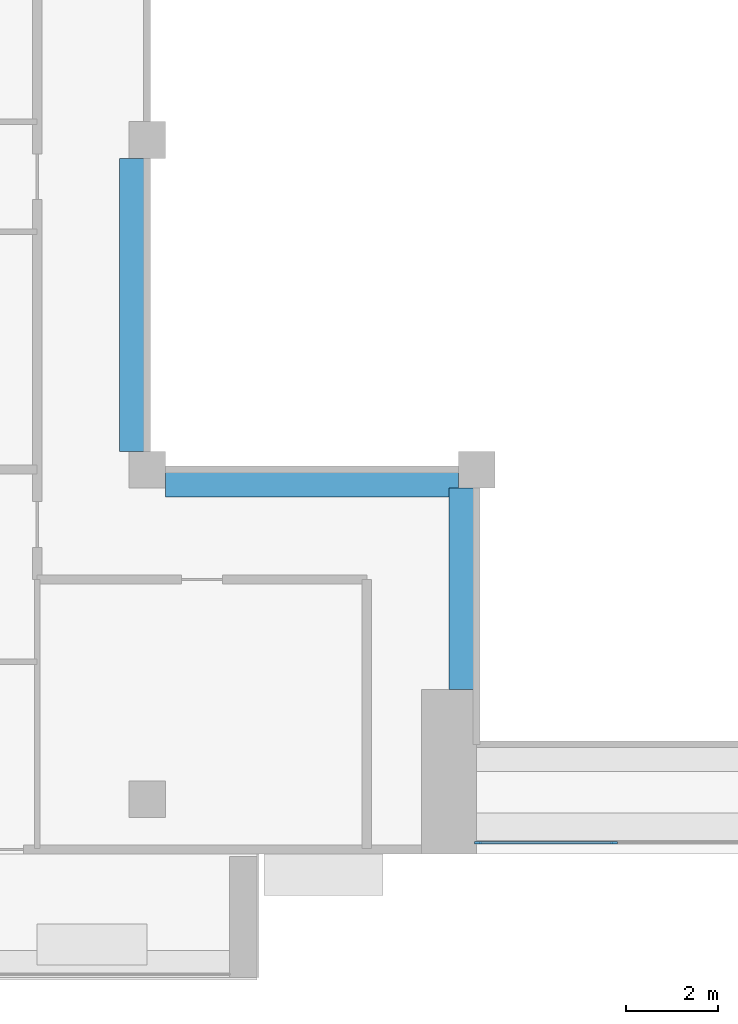
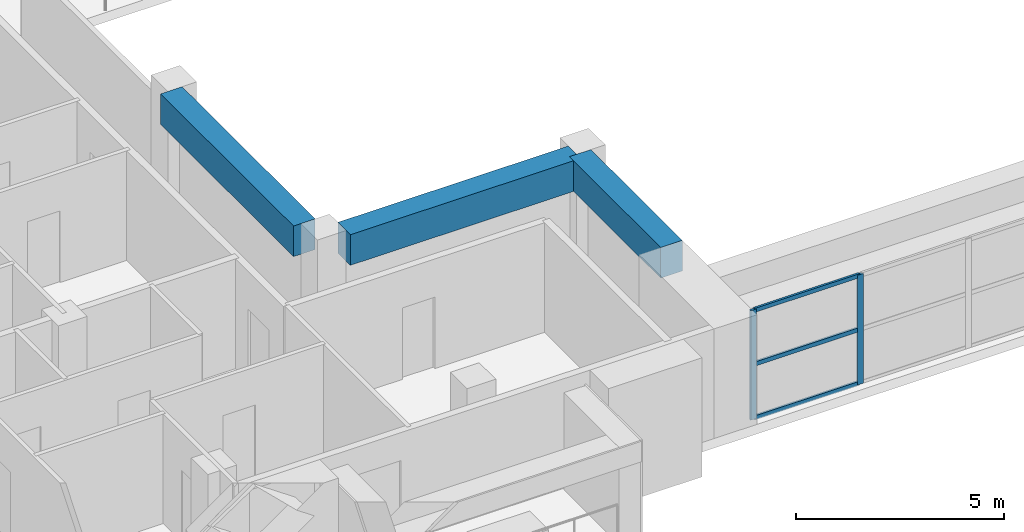
# One storey, part 2 of 19: 5 members, 3 beams, 1 element without a shape of its own.
"""IFC4 building model written with IfcOpenShell, lengths in metres."""

from ifc_helpers import new_model, si_unit, direction, frame, origin, origin_2d, place, context, subcontext, project, spatial, rectangle, extrude, source, transform, mapped, material, layer, layer_set, material_profile, profile_set, type_object, element, aggregate, save


model = new_model("IFC4")

# Units and contexts
model_context = context("Model", 3, precision=1e-05, world=origin(), true_north=direction((0.0, 1.0)))
body_context = subcontext(model_context, "Body", "Model", "MODEL_VIEW")
ifc_project = project(units=[si_unit("LENGTHUNIT", "METRE"), si_unit("AREAUNIT", "SQUARE_METRE"), si_unit("VOLUMEUNIT", "CUBIC_METRE"), si_unit("PLANEANGLEUNIT", "RADIAN"), si_unit("MASSUNIT", "GRAM", prefix="KILO")], contexts=[model_context])

# Site, building, storey
site_placement = place(None, origin())
site = spatial("IfcSite", under=ifc_project, at=site_placement, CompositionType="ELEMENT")
building_placement = place(site_placement, origin())
building = spatial("IfcBuilding", under=site, at=building_placement, Name="Saffron Iwan Residences", CompositionType="ELEMENT")
storey_placement = place(building_placement, frame((0.0, 0.0, 246.5)))
storey = spatial("IfcBuildingStorey", under=building, at=storey_placement, Name="L66", CompositionType="ELEMENT", Elevation=246.5)

# Beams
ifc_material_1 = material(Name="Concrete C40/50", Category="concrete")
ifc_material_profile_1 = material_profile(ifc_material_1, rectangle(XDim=0.60009765625, YDim=0.89990234375, at=origin_2d()), Name="RC 600x900")
ifc_profile_set_1 = profile_set([ifc_material_profile_1], Name="Concrete C40/50")
beam_type = type_object("IfcBeamType", Name="BEAM RC 600x900 C40/50 TOP 3220", PredefinedType="BEAM", material=ifc_profile_set_1)
shared_shape_1 = source(origin(), body_context, "Body", "SweptSolid", [
    extrude(rectangle(XDim=0.60009765625, YDim=0.89990234375, at=origin_2d()), origin(), (0.0, 0.0, 1.0), 4.400146484375),
])
beam_placement = place(storey_placement, frame((42.89990234375, 43.199951171875, 2.77001953125), z_axis=(0.0, 1.0, 0.0), x_axis=(-1.0, 0.0, 0.0)))
element("IfcBeam", 1, at=beam_placement, inside=storey, type_object=beam_type, Name="Atrium edge beam", PredefinedType="BEAM", context=body_context, shape_type="MappedRepresentation", body=[
    mapped(shared_shape_1, transform((0.0, 0.0, 0.0))),
])
shared_shape_2 = source(origin(), body_context, "Body", "SweptSolid", [
    extrude(rectangle(XDim=0.60009765625, YDim=0.89990234375, at=origin_2d()), origin(), (0.0, 0.0, 1.0), 6.400146484375),
])
for number, where, z_axis, x_axis, name in (
    (2, (42.800048828125, 47.699951171875, 2.77001953125), (-1.0, 0.0, 0.0), (0.0, -1.0, 0.0), "Atrium edge beam"),
    (3, (35.699951171875, 48.39990234375, 2.77001953125), (0.0, 1.0, 0.0), (-1.0, 0.0, 0.0), "Atrium edge beam"),
):
    element("IfcBeam", number, at=place(storey_placement, frame(where, z_axis=z_axis, x_axis=x_axis)), inside=storey, type_object=beam_type, Name=name, PredefinedType="BEAM", context=body_context, shape_type="MappedRepresentation", body=[
        mapped(shared_shape_2, transform((0.0, 0.0, 0.0))),
    ])

# Curtain wall, members
ifc_material_2 = material(Name="Clear glass, laminated double glazed", Category="glass")
ifc_layer = layer(ifc_material_2, 0.199951171875)
ifc_layer_set = layer_set([ifc_layer], Name="Clear glass, laminated double glazed")
curtain_wall_type = type_object("IfcCurtainWallType", Name="CW-B IWAN PORTAL", PredefinedType="NOTDEFINED", material=ifc_layer_set)
curtain_wall_placement = place(storey_placement, origin())
curtain_wall = element("IfcCurtainWall", 4, at=curtain_wall_placement, inside=storey, type_object=curtain_wall_type, Name="Iwan portal glazing L66.1", PredefinedType="NOTDEFINED")
ifc_material_3 = material(Name="Aluminium 6063-T6", Category="aluminium")
ifc_material_profile_2 = material_profile(ifc_material_3, rectangle(XDim=0.06005859375, YDim=0.1201171875, at=origin_2d()), Name="CW-B TRANSOM 60 x 120")
ifc_profile_set_2 = profile_set([ifc_material_profile_2], Name="Aluminium 6063-T6")
member_type_1 = type_object("IfcMemberType", Name="CW-B TRANSOM 60 x 120", PredefinedType="USERDEFINED", material=ifc_profile_set_2)
shared_shape_3 = source(origin(), body_context, "Body", "SweptSolid", [
    extrude(rectangle(XDim=0.06005859375, YDim=0.1201171875, at=origin_2d()), origin(), (0.0, 0.0, 1.0), 2.909912109375),
])
member_1_placement = place(storey_placement, frame((43.260009765625, 39.85009765625, 0.030029296875), z_axis=(1.0, 0.0, 0.0), x_axis=(0.0, 1.0, 0.0)))
member_1 = element("IfcMember", 5, at=member_1_placement, type_object=member_type_1, Name="CW-B transom 1.1", ObjectType="TRANSOM", PredefinedType="USERDEFINED", context=body_context, shape_type="MappedRepresentation", body=[
    mapped(shared_shape_3, transform((0.0, 0.0, 0.0))),
])
member_2_placement = place(storey_placement, frame((43.260009765625, 39.85009765625, 1.610107421875), z_axis=(1.0, 0.0, 0.0), x_axis=(0.0, 1.0, 0.0)))
member_2 = element("IfcMember", 6, at=member_2_placement, type_object=member_type_1, Name="CW-B transom 1.2", ObjectType="TRANSOM", PredefinedType="USERDEFINED", context=body_context, shape_type="MappedRepresentation", body=[
    mapped(shared_shape_3, transform((0.0, 0.0, 0.0))),
])
member_3_placement = place(storey_placement, frame((43.260009765625, 39.85009765625, 3.18994140625), z_axis=(1.0, 0.0, 0.0), x_axis=(0.0, 1.0, 0.0)))
member_3 = element("IfcMember", 7, at=member_3_placement, type_object=member_type_1, Name="CW-B transom 1.3", ObjectType="TRANSOM", PredefinedType="USERDEFINED", context=body_context, shape_type="MappedRepresentation", body=[
    mapped(shared_shape_3, transform((0.0, 0.0, 0.0))),
])
ifc_material_profile_3 = material_profile(ifc_material_3, rectangle(XDim=0.06005859375, YDim=0.159912109375, at=origin_2d()), Name="CW-B MULLION 60 x 160")
ifc_profile_set_3 = profile_set([ifc_material_profile_3], Name="Aluminium 6063-T6")
member_type_2 = type_object("IfcMemberType", Name="CW-B MULLION 60 x 160", PredefinedType="MULLION", material=ifc_profile_set_3)
shared_shape_4 = source(origin(), body_context, "Body", "SweptSolid", [
    extrude(rectangle(XDim=0.06005859375, YDim=0.159912109375, at=origin_2d()), origin(), (0.0, 0.0, 1.0), 3.219970703125),
])
member_4_placement = place(storey_placement, frame((43.22998046875, 39.85009765625, 0.0), z_axis=(0.0, 0.0, 1.0), x_axis=(0.0, 1.0, 0.0)))
member_4 = element("IfcMember", 8, at=member_4_placement, type_object=member_type_2, Name="CW-B mullion 1", PredefinedType="MULLION", context=body_context, shape_type="MappedRepresentation", body=[
    mapped(shared_shape_4, transform((0.0, 0.0, 0.0))),
])
member_5_placement = place(storey_placement, frame((46.199951171875, 39.85009765625, 0.0), z_axis=(0.0, 0.0, 1.0), x_axis=(0.0, 1.0, 0.0)))
member_5 = element("IfcMember", 9, at=member_5_placement, type_object=member_type_2, Name="CW-B mullion 2", PredefinedType="MULLION", context=body_context, shape_type="MappedRepresentation", body=[
    mapped(shared_shape_4, transform((0.0, 0.0, 0.0))),
])
aggregate(curtain_wall, [member_4, member_5, member_1, member_2, member_3])

save(model, "model.ifc")
